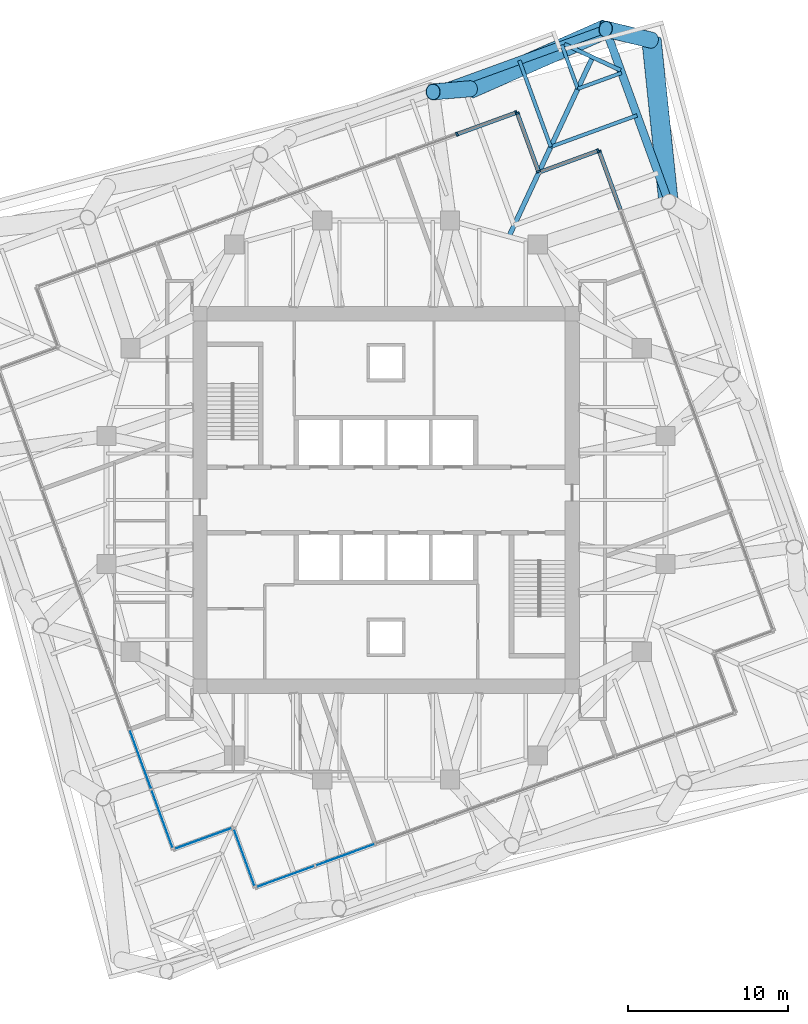
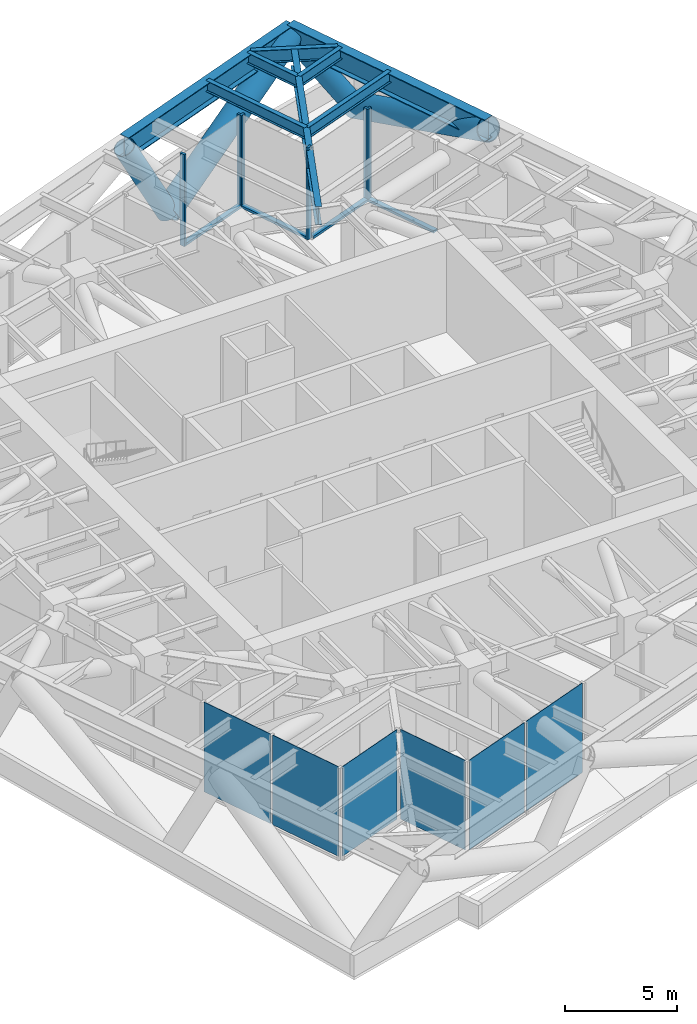
# One storey, part 6 of 12: 14 members, 8 beams, 6 plates, 8 elements without a shape of their own.
"""IFC4 building model written with IfcOpenShell, lengths in metres."""

from ifc_helpers import new_model, si_unit, direction, frame, origin, origin_2d, place, context, subcontext, project, spatial, rectangle, hollow_circle, i_section, extrude, material, layer, layer_set, material_profile, profile_set, type_object, element, aggregate, save


model = new_model("IFC4")

# Units and contexts
model_context = context("Model", 3, precision=1e-05, world=origin(), true_north=direction((0.0, 1.0)))
body_context = subcontext(model_context, "Body", "Model", "MODEL_VIEW")
ifc_project = project(units=[si_unit("LENGTHUNIT", "METRE"), si_unit("AREAUNIT", "SQUARE_METRE"), si_unit("VOLUMEUNIT", "CUBIC_METRE"), si_unit("PLANEANGLEUNIT", "RADIAN"), si_unit("MASSUNIT", "GRAM", prefix="KILO")], contexts=[model_context])

# Site, building, storey
site_placement = place(None, origin())
site = spatial("IfcSite", under=ifc_project, at=site_placement, CompositionType="ELEMENT")
building_placement = place(site_placement, origin())
building = spatial("IfcBuilding", under=site, at=building_placement, Name="Torsade Residences", CompositionType="ELEMENT")
storey_placement = place(building_placement, frame((0.0, 0.0, 138.800048828125)))
storey = spatial("IfcBuildingStorey", under=building, at=storey_placement, Name="L38", CompositionType="ELEMENT", Elevation=138.800048828125)

# Beams
ifc_material_1 = material(Name="Steel grade 300", Category="steel")
ifc_material_profile_1 = material_profile(ifc_material_1, i_section(OverallWidth=0.300048828125, OverallDepth=1.0, WebThickness=0.01611328125, FlangeThickness=0.028076171875, at=origin_2d()), Name="1000WB215")
ifc_profile_set_1 = profile_set([ifc_material_profile_1], Name="Steel grade 300")
beam_type_1 = type_object("IfcBeamType", Name="CORNER GIRDER 1000WB215", PredefinedType="BEAM", material=ifc_profile_set_1)
beam_1_placement = place(storey_placement, frame((52.924560546875, 57.717041015625, 4.349853515625), z_axis=(-0.422616712682, -0.906308509373, 0.0), x_axis=(0.906308509373, -0.422616712682, 0.0)))
element("IfcBeam", 1, at=beam_1_placement, inside=storey, type_object=beam_type_1, Name="Corner girder 09 L39", PredefinedType="BEAM", context=body_context, shape_type="SweptSolid", body=[
    extrude(i_section(OverallWidth=0.300048828125, OverallDepth=1.0, WebThickness=0.01611328125, FlangeThickness=0.028076171875, at=origin_2d()), origin(), (0.0, 0.0, 1.0), 12.3837890625),
])
ifc_material_2 = material(Name="Steel grade 300", Category="steel")
ifc_material_profile_2 = material_profile(ifc_material_2, i_section(OverallWidth=0.25, OverallDepth=0.699951171875, WebThickness=0.010009765625, FlangeThickness=0.02001953125, at=origin_2d()), Name="700WB130")
ifc_profile_set_2 = profile_set([ifc_material_profile_2], Name="Steel grade 300")
beam_type_2 = type_object("IfcBeamType", Name="CORNER TRIMMER 700WB130", PredefinedType="BEAM", material=ifc_profile_set_2)
beam_2_placement = place(storey_placement, frame((51.162353515625, 58.538818359375, 4.5), z_axis=(0.906309798645, -0.422613947806, 0.0), x_axis=(0.422613947806, 0.906309798645, 0.0)))
element("IfcBeam", 2, at=beam_2_placement, inside=storey, type_object=beam_type_2, Name="Corner trimmer 09 L39", PredefinedType="BEAM", context=body_context, shape_type="SweptSolid", body=[
    extrude(i_section(OverallWidth=0.25, OverallDepth=0.699951171875, WebThickness=0.010009765625, FlangeThickness=0.02001953125, at=origin_2d()), origin(), (0.0, 0.0, 1.0), 3.888916015625),
])
ifc_material_3 = material(Name="Steel grade 300", Category="steel")
ifc_material_profile_3 = material_profile(ifc_material_3, i_section(OverallWidth=0.22900390625, OverallDepth=0.612060546875, WebThickness=0.011962890625, FlangeThickness=0.01953125, FilletRadius=0.013916015625, at=origin_2d()), Name="610UB125")
ifc_profile_set_3 = profile_set([ifc_material_profile_3], Name="Steel grade 300")
beam_type_3 = type_object("IfcBeamType", Name="SECONDARY BEAM 610UB125", PredefinedType="JOIST", material=ifc_profile_set_3)
beam_3_placement = place(storey_placement, frame((55.713134765625, 54.076171875, 4.5439453125), z_axis=(-0.939697932031, -0.342005550448, 0.0), x_axis=(0.342005550448, -0.939697932031, 0.0)))
element("IfcBeam", 3, at=beam_3_placement, inside=storey, type_object=beam_type_3, Name="Floor beam FE11 L39", PredefinedType="JOIST", context=body_context, shape_type="SweptSolid", body=[
    extrude(i_section(OverallWidth=0.22900390625, OverallDepth=0.612060546875, WebThickness=0.011962890625, FlangeThickness=0.01953125, FilletRadius=0.013916015625, at=origin_2d()), origin(), (0.0, 0.0, 1.0), 5.75),
])
for number, where, z_axis, x_axis, name in (
    (4, (54.744140625, 56.738525390625, 4.5439453125), (-0.939700524495, -0.341998427281, 0.0), (0.341998427281, -0.939700524495, 0.0), "Floor beam FE12 L39"),
    (5, (51.005615234375, 58.48193359375, 4.5439453125), (0.341998427281, -0.939700524495, 0.0), (0.939700524495, 0.341998427281, 0.0), "Floor beam FN01 L39"),
):
    element("IfcBeam", number, at=place(storey_placement, frame(where, z_axis=z_axis, x_axis=x_axis)), inside=storey, type_object=beam_type_3, Name=name, PredefinedType="JOIST", context=body_context, shape_type="SweptSolid", body=[
        extrude(i_section(OverallWidth=0.22900390625, OverallDepth=0.612060546875, WebThickness=0.011962890625, FlangeThickness=0.01953125, FilletRadius=0.013916015625, at=origin_2d()), origin(), (0.0, 0.0, 1.0), 2.916748046875),
    ])
beam_4_placement = place(storey_placement, frame((48.34326171875, 57.5126953125, 4.5439453125), z_axis=(0.342019196443, -0.939692965423, 0.0), x_axis=(0.939692965423, 0.342019196443, 0.0)))
element("IfcBeam", 6, at=beam_4_placement, inside=storey, type_object=beam_type_3, Name="Floor beam FN02 L39", PredefinedType="JOIST", context=body_context, shape_type="SweptSolid", body=[
    extrude(i_section(OverallWidth=0.22900390625, OverallDepth=0.612060546875, WebThickness=0.011962890625, FlangeThickness=0.01953125, FilletRadius=0.013916015625, at=origin_2d()), origin(), (0.0, 0.0, 1.0), 5.749755859375),
])

# Curtain wall, member
ifc_material_4 = material(Name="Aluminium and glass", Category="aluminium")
curtain_wall_type = type_object("IfcCurtainWallType", Name="SKY LOUNGE CURTAIN WALL", PredefinedType="NOTDEFINED", material=ifc_material_4)
curtain_wall_1_placement = place(storey_placement, origin())
curtain_wall_1 = element("IfcCurtainWall", 7, at=curtain_wall_1_placement, inside=storey, type_object=curtain_wall_type, Name="Curtain wall L38 face 4", PredefinedType="NOTDEFINED")
ifc_material_5 = material(Name="Aluminium mullion", Category="aluminium")
ifc_material_profile_4 = material_profile(ifc_material_5, rectangle(XDim=0.25, YDim=0.1201171875, at=origin_2d()), Name="SKY LOUNGE CURTAIN WALL MULLION 250x120")
ifc_profile_set_4 = profile_set([ifc_material_profile_4], Name="Aluminium mullion")
member_type_1 = type_object("IfcMemberType", Name="SKY LOUNGE CURTAIN WALL MULLION 250x120", PredefinedType="MULLION", material=ifc_profile_set_4)
member_1_placement = place(storey_placement, frame((53.342041015625, 51.819091796875, 0.0), z_axis=(0.0, 0.0, 1.0), x_axis=(-0.939692617127, -0.342020153379, 0.0)))
member_1 = element("IfcMember", 8, at=member_1_placement, type_object=member_type_1, Name="Mullion 9", PredefinedType="MULLION", context=body_context, shape_type="SweptSolid", body=[
    extrude(rectangle(XDim=0.25, YDim=0.1201171875, at=origin_2d()), origin(), (0.0, 0.0, 1.0), 5.0),
])

curtain_wall_2_placement = place(storey_placement, origin())
curtain_wall_2 = element("IfcCurtainWall", 9, at=curtain_wall_2_placement, inside=storey, type_object=curtain_wall_type, Name="Curtain wall L38 face 5", PredefinedType="NOTDEFINED")
member_2_placement = place(storey_placement, frame((53.26513671875, 51.85498046875, 0.0), z_axis=(0.0, 0.0, 1.0), x_axis=(0.342020276336, -0.939692572374, 0.0)))
member_2 = element("IfcMember", 10, at=member_2_placement, type_object=member_type_1, Name="Mullion 1", PredefinedType="MULLION", context=body_context, shape_type="SweptSolid", body=[
    extrude(rectangle(XDim=0.25, YDim=0.1201171875, at=origin_2d()), origin(), (0.0, 0.0, 1.0), 5.0),
])

# Curtain wall, members
curtain_wall_3_placement = place(storey_placement, origin())
curtain_wall_3 = element("IfcCurtainWall", 11, at=curtain_wall_3_placement, inside=storey, type_object=curtain_wall_type, Name="Curtain wall L38 face 6", PredefinedType="NOTDEFINED")
member_3_placement = place(storey_placement, frame((49.542236328125, 50.563720703125, 0.0), z_axis=(0.0, 0.0, 1.0), x_axis=(-0.939692601618, -0.342020195988, 0.0)))
member_3 = element("IfcMember", 12, at=member_3_placement, type_object=member_type_1, Name="Mullion 1", PredefinedType="MULLION", context=body_context, shape_type="SweptSolid", body=[
    extrude(rectangle(XDim=0.25, YDim=0.1201171875, at=origin_2d()), origin(), (0.0, 0.0, 1.0), 5.0),
])
member_4_placement = place(storey_placement, frame((48.215087890625, 54.209716796875, 0.0), z_axis=(0.0, 0.0, 1.0), x_axis=(-0.939692601618, -0.342020195988, 0.0)))
member_4 = element("IfcMember", 13, at=member_4_placement, type_object=member_type_1, Name="Mullion 2", PredefinedType="MULLION", context=body_context, shape_type="SweptSolid", body=[
    extrude(rectangle(XDim=0.25, YDim=0.1201171875, at=origin_2d()), origin(), (0.0, 0.0, 1.0), 5.0),
])

curtain_wall_4_placement = place(storey_placement, origin())
curtain_wall_4 = element("IfcCurtainWall", 14, at=curtain_wall_4_placement, inside=storey, type_object=curtain_wall_type, Name="Curtain wall L38 face 7", PredefinedType="NOTDEFINED")
member_5_placement = place(storey_placement, frame((48.13818359375, 54.24560546875, 0.0), z_axis=(0.0, 0.0, 1.0), x_axis=(0.342020153379, -0.939692617127, 0.0)))
member_5 = element("IfcMember", 15, at=member_5_placement, type_object=member_type_1, Name="Mullion 1", PredefinedType="MULLION", context=body_context, shape_type="SweptSolid", body=[
    extrude(rectangle(XDim=0.25, YDim=0.1201171875, at=origin_2d()), origin(), (0.0, 0.0, 1.0), 5.0),
])
member_6_placement = place(storey_placement, frame((44.435791015625, 52.898193359375, 0.0), z_axis=(0.0, 0.0, 1.0), x_axis=(0.342020153379, -0.939692617127, 0.0)))
member_6 = element("IfcMember", 16, at=member_6_placement, type_object=member_type_1, Name="Mullion 2", PredefinedType="MULLION", context=body_context, shape_type="SweptSolid", body=[
    extrude(rectangle(XDim=0.25, YDim=0.1201171875, at=origin_2d()), origin(), (0.0, 0.0, 1.0), 5.0),
])

# Member
ifc_material_6 = material(Name="Aluminium transom", Category="aluminium")
ifc_material_profile_5 = material_profile(ifc_material_6, rectangle(XDim=0.25, YDim=0.1298828125, at=origin_2d()), Name="SKY LOUNGE CURTAIN WALL TRANSOM 250x130")
ifc_profile_set_5 = profile_set([ifc_material_profile_5], Name="Aluminium transom")
member_type_2 = type_object("IfcMemberType", Name="SKY LOUNGE CURTAIN WALL TRANSOM 250x130", PredefinedType="USERDEFINED", material=ifc_profile_set_5)
member_7_placement = place(storey_placement, frame((54.669189453125, 48.173095703125, 0.06494140625), z_axis=(-0.342050936493, 0.939681412418, 0.0), x_axis=(-0.939681412418, -0.342050936493, 0.0)))
member_7 = element("IfcMember", 17, at=member_7_placement, type_object=member_type_2, Name="Transom 8.1", ObjectType="TRANSOM", PredefinedType="USERDEFINED", context=body_context, shape_type="SweptSolid", body=[
    extrude(rectangle(XDim=0.25, YDim=0.1298828125, at=origin_2d()), origin(), (0.0, 0.0, 1.0), 3.820068359375),
])

aggregate(curtain_wall_1, [member_1, member_7])

member_8_placement = place(storey_placement, frame((53.208740234375, 51.83447265625, 0.06494140625), z_axis=(-0.939679623912, -0.342055849832, 0.0), x_axis=(0.342055849832, -0.939679623912, 0.0)))
member_8 = element("IfcMember", 18, at=member_8_placement, type_object=member_type_2, Name="Transom 1.1", ObjectType="TRANSOM", PredefinedType="USERDEFINED", context=body_context, shape_type="SweptSolid", body=[
    extrude(rectangle(XDim=0.25, YDim=0.1298828125, at=origin_2d()), origin(), (0.0, 0.0, 1.0), 3.760009765625),
])

aggregate(curtain_wall_2, [member_2, member_8])

member_9_placement = place(storey_placement, frame((49.521728515625, 50.6201171875, 0.06494140625), z_axis=(-0.341998514102, 0.939700492897, 0.0), x_axis=(-0.939700492897, -0.341998514102, 0.0)))
member_9 = element("IfcMember", 19, at=member_9_placement, type_object=member_type_2, Name="Transom 1.1", ObjectType="TRANSOM", PredefinedType="USERDEFINED", context=body_context, shape_type="SweptSolid", body=[
    extrude(rectangle(XDim=0.25, YDim=0.1298828125, at=origin_2d()), origin(), (0.0, 0.0, 1.0), 3.760009765625),
])

aggregate(curtain_wall_3, [member_3, member_4, member_9])

member_10_placement = place(storey_placement, frame((48.08203125, 54.22509765625, 0.06494140625), z_axis=(-0.939709427852, -0.341973962761, 0.0), x_axis=(0.341973962761, -0.939709427852, 0.0)))
member_10 = element("IfcMember", 20, at=member_10_placement, type_object=member_type_2, Name="Transom 1.1", ObjectType="TRANSOM", PredefinedType="USERDEFINED", context=body_context, shape_type="SweptSolid", body=[
    extrude(rectangle(XDim=0.25, YDim=0.1298828125, at=origin_2d()), origin(), (0.0, 0.0, 1.0), 3.820068359375),
])

aggregate(curtain_wall_4, [member_5, member_6, member_10])

# Beams
ifc_material_7 = material(Name="Steel grade 300", Category="steel")
ifc_material_profile_6 = material_profile(ifc_material_7, i_section(OverallWidth=0.5, OverallDepth=1.199951171875, WebThickness=0.01611328125, FlangeThickness=0.0400390625, at=origin_2d()), Name="1200WB455")
ifc_profile_set_6 = profile_set([ifc_material_profile_6], Name="Steel grade 300")
beam_type_4 = type_object("IfcBeamType", Name="TRANSFER TRUSS CHORD 1200WB455", PredefinedType="USERDEFINED", material=ifc_profile_set_6)
beam_5_placement = place(storey_placement, frame((57.6796875, 48.6728515625, 4.25), z_axis=(-0.342005550448, 0.939697932031, 0.0), x_axis=(-0.939697932031, -0.342005550448, 0.0)))
element("IfcBeam", 21, at=beam_5_placement, inside=storey, type_object=beam_type_4, Name="Transfer truss TT4 top chord 08", ObjectType="TRANSFER TRUSS CHORD", PredefinedType="USERDEFINED", context=body_context, shape_type="SweptSolid", body=[
    extrude(i_section(OverallWidth=0.5, OverallDepth=1.199951171875, WebThickness=0.01611328125, FlangeThickness=0.0400390625, at=origin_2d()), origin(), (0.0, 0.0, 1.0), 11.5),
])
beam_6_placement = place(storey_placement, frame((53.74658203125, 59.4794921875, 4.25), z_axis=(-0.93969110915, -0.342024296483, 0.0), x_axis=(0.342024296483, -0.93969110915, 0.0)))
element("IfcBeam", 22, at=beam_6_placement, inside=storey, type_object=beam_type_4, Name="Transfer truss TT4 top chord 09", ObjectType="TRANSFER TRUSS CHORD", PredefinedType="USERDEFINED", context=body_context, shape_type="SweptSolid", body=[
    extrude(i_section(OverallWidth=0.5, OverallDepth=1.199951171875, WebThickness=0.01611328125, FlangeThickness=0.0400390625, at=origin_2d()), origin(), (0.0, 0.0, 1.0), 11.500244140625),
])

# Members
ifc_material_8 = material(Name="Steel grade 450", Category="steel")
ifc_material_profile_7 = material_profile(ifc_material_8, hollow_circle(Radius=0.609619140625, WallThickness=0.0400390625, at=origin_2d()), Name="1219.0x40.0CHS")
ifc_profile_set_7 = profile_set([ifc_material_profile_7], Name="Steel grade 450")
member_type_3 = type_object("IfcMemberType", Name="TRANSFER TRUSS DIAGONAL 1219.0x40.0CHS", PredefinedType="BRACE", material=ifc_profile_set_7)
member_11_placement = place(storey_placement, frame((56.616943359375, 58.781494140625, -0.199951171875), z_axis=(0.095779202019, -0.911035575371, 0.401049279852), x_axis=(0.99451900068, 0.104556000724, 0.0)))
element("IfcMember", 23, at=member_11_placement, inside=storey, type_object=member_type_3, Name="Transfer truss TT4 diagonal 08", PredefinedType="BRACE", context=body_context, shape_type="SweptSolid", body=[
    extrude(hollow_circle(Radius=0.609619140625, WallThickness=0.0400390625, at=origin_2d()), origin(), (0.0, 0.0, 1.0), 11.095703125),
])
member_12_placement = place(storey_placement, frame((45.267333984375, 55.740478515625, -0.199951171875), z_axis=(0.824823581866, 0.36371463984, 0.432871481578), x_axis=(-0.403474804044, 0.914990755419, 0.0)))
element("IfcMember", 24, at=member_12_placement, inside=storey, type_object=member_type_3, Name="Transfer truss TT4 diagonal 09", PredefinedType="BRACE", context=body_context, shape_type="SweptSolid", body=[
    extrude(hollow_circle(Radius=0.609619140625, WallThickness=0.0400390625, at=origin_2d()), origin(), (0.0, 0.0, 1.0), 10.280029296875),
])
ifc_material_9 = material(Name="Steel grade 450", Category="steel")
ifc_material_profile_8 = material_profile(ifc_material_9, hollow_circle(Radius=0.508056640625, WallThickness=0.031982421875, at=origin_2d()), Name="1016.0x32.0CHS")
ifc_profile_set_8 = profile_set([ifc_material_profile_8], Name="Steel grade 450")
member_type_4 = type_object("IfcMemberType", Name="TRANSFER TRUSS RAKING STRUT 1016.0x32.0CHS", PredefinedType="STRUT", material=ifc_profile_set_8)
member_13_placement = place(storey_placement, frame((56.616943359375, 58.781494140625, -0.199951171875), z_axis=(-0.537401747063, 0.130682282457, 0.833139546118), x_axis=(-0.236288310799, -0.971682990579, 0.0)))
element("IfcMember", 25, at=member_13_placement, inside=storey, type_object=member_type_4, Name="Transfer truss TT4 raking strut 09", PredefinedType="STRUT", context=body_context, shape_type="SweptSolid", body=[
    extrude(hollow_circle(Radius=0.508056640625, WallThickness=0.031982421875, at=origin_2d()), origin(), (0.0, 0.0, 1.0), 5.341064453125),
])
member_14_placement = place(storey_placement, frame((45.267333984375, 55.740478515625, -0.199951171875), z_axis=(-0.463108022338, -0.038669252678, 0.885457875081), x_axis=(0.083209850982, -0.996532047001, 0.0)))
element("IfcMember", 26, at=member_14_placement, inside=storey, type_object=member_type_4, Name="Transfer truss TT4 raking strut 10", PredefinedType="STRUT", context=body_context, shape_type="SweptSolid", body=[
    extrude(hollow_circle(Radius=0.508056640625, WallThickness=0.031982421875, at=origin_2d()), origin(), (0.0, 0.0, 1.0), 5.025634765625),
])

# Curtain wall, plates
curtain_wall_5_placement = place(storey_placement, origin())
curtain_wall_5 = element("IfcCurtainWall", 27, at=curtain_wall_5_placement, inside=storey, type_object=curtain_wall_type, Name="Curtain wall L38 face 1", PredefinedType="NOTDEFINED")
ifc_material_10 = material(Name="Laminated glass", Category="glass")
ifc_layer = layer(ifc_material_10, 0.02392578125)
ifc_layer_set = layer_set([ifc_layer], Name="Laminated glass")
plate_type = type_object("IfcPlateType", Name="CLEAR GLASS PANEL", PredefinedType="CURTAIN_PANEL", material=ifc_layer_set)
plate_1_placement = place(storey_placement, frame((33.712890625, 6.42822265625, 0.1298828125), z_axis=(0.0, 0.0, 1.0), x_axis=(0.939692617127, 0.342020153379, 0.0)))
plate_1 = element("IfcPlate", 28, at=plate_1_placement, type_object=plate_type, Name="Panel 1", PredefinedType="CURTAIN_PANEL", context=body_context, shape_type="SweptSolid", body=[
    extrude(rectangle(XDim=3.820068359375, YDim=0.02392578125, at=origin_2d()), origin(), (0.0, 0.0, 1.0), 4.8701171875),
])
plate_2_placement = place(storey_placement, frame((37.443359375, 7.785888671875, 0.1298828125), z_axis=(0.0, 0.0, 1.0), x_axis=(0.939692617127, 0.342020153379, 0.0)))
plate_2 = element("IfcPlate", 29, at=plate_2_placement, type_object=plate_type, Name="Panel 2", PredefinedType="CURTAIN_PANEL", context=body_context, shape_type="SweptSolid", body=[
    extrude(rectangle(XDim=3.8798828125, YDim=0.02392578125, at=origin_2d()), origin(), (0.0, 0.0, 1.0), 4.8701171875),
])
aggregate(curtain_wall_5, [plate_1, plate_2])

curtain_wall_6_placement = place(storey_placement, origin())
curtain_wall_6 = element("IfcCurtainWall", 30, at=curtain_wall_6_placement, inside=storey, type_object=curtain_wall_type, Name="Curtain wall L38 face 10", PredefinedType="NOTDEFINED")
plate_3_placement = place(storey_placement, frame((24.62646484375, 13.7626953125, 0.1298828125), z_axis=(0.0, 0.0, 1.0), x_axis=(0.342020153379, -0.939692617127, 0.0)))
plate_3 = element("IfcPlate", 31, at=plate_3_placement, type_object=plate_type, Name="Panel 7", PredefinedType="CURTAIN_PANEL", context=body_context, shape_type="SweptSolid", body=[
    extrude(rectangle(XDim=3.8798828125, YDim=0.02392578125, at=origin_2d()), origin(), (0.0, 0.0, 1.0), 4.8701171875),
])
plate_4_placement = place(storey_placement, frame((25.984130859375, 10.031982421875, 0.1298828125), z_axis=(0.0, 0.0, 1.0), x_axis=(0.342020153379, -0.939692617127, 0.0)))
plate_4 = element("IfcPlate", 32, at=plate_4_placement, type_object=plate_type, Name="Panel 8", PredefinedType="CURTAIN_PANEL", context=body_context, shape_type="SweptSolid", body=[
    extrude(rectangle(XDim=3.820068359375, YDim=0.02392578125, at=origin_2d()), origin(), (0.0, 0.0, 1.0), 4.8701171875),
])
aggregate(curtain_wall_6, [plate_3, plate_4])

# Curtain wall, plate
curtain_wall_7_placement = place(storey_placement, origin())
curtain_wall_7 = element("IfcCurtainWall", 33, at=curtain_wall_7_placement, inside=storey, type_object=curtain_wall_type, Name="Curtain wall L38 face 11", PredefinedType="NOTDEFINED")
plate_5_placement = place(storey_placement, frame((28.557861328125, 8.80859375, 0.1298828125), z_axis=(0.0, 0.0, 1.0), x_axis=(0.939692572374, 0.342020276336, 0.0)))
plate_5 = element("IfcPlate", 34, at=plate_5_placement, type_object=plate_type, Name="Panel 1", PredefinedType="CURTAIN_PANEL", context=body_context, shape_type="SweptSolid", body=[
    extrude(rectangle(XDim=3.760009765625, YDim=0.02392578125, at=origin_2d()), origin(), (0.0, 0.0, 1.0), 4.8701171875),
])
aggregate(curtain_wall_7, [plate_5])

curtain_wall_8_placement = place(storey_placement, origin())
curtain_wall_8 = element("IfcCurtainWall", 35, at=curtain_wall_8_placement, inside=storey, type_object=curtain_wall_type, Name="Curtain wall L38 face 12", PredefinedType="NOTDEFINED")
plate_6_placement = place(storey_placement, frame((31.121337890625, 7.61328125, 0.1298828125), z_axis=(0.0, 0.0, 1.0), x_axis=(0.342020195988, -0.939692601618, 0.0)))
plate_6 = element("IfcPlate", 36, at=plate_6_placement, type_object=plate_type, Name="Panel 1", PredefinedType="CURTAIN_PANEL", context=body_context, shape_type="SweptSolid", body=[
    extrude(rectangle(XDim=3.760009765625, YDim=0.02392578125, at=origin_2d()), origin(), (0.0, 0.0, 1.0), 4.8701171875),
])
aggregate(curtain_wall_8, [plate_6])

save(model, "model.ifc")
